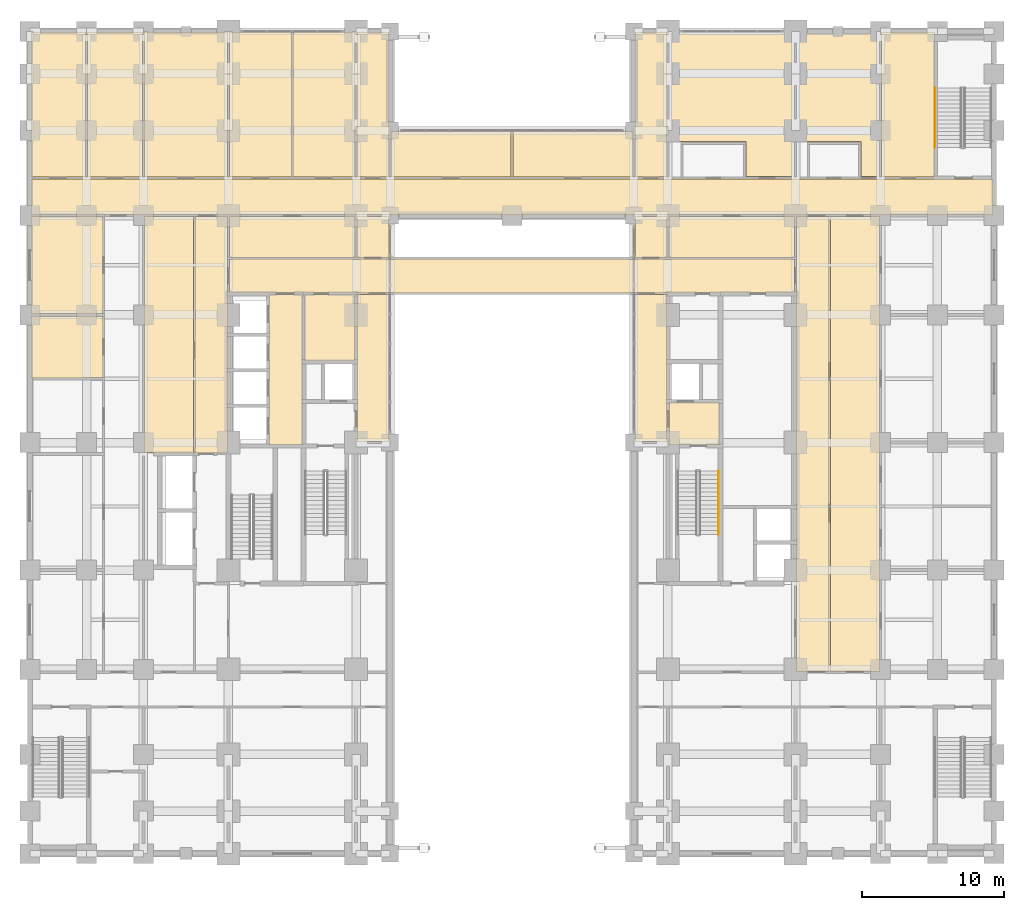
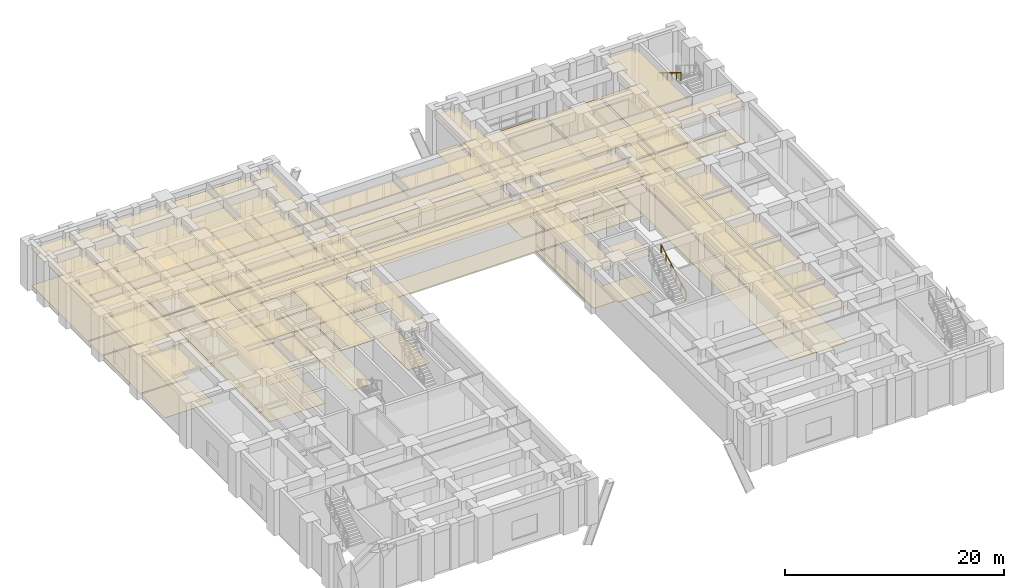
# One storey, part 21 of 23: 56 coverings, 2 railings.
"""IFC4 building model written with IfcOpenShell, lengths in metres."""

from ifc_helpers import new_model, si_unit, direction, frame, origin, origin_2d, place, context, subcontext, project, spatial, polyline, rectangle, outline, extrude, material, layer, layer_set, type_object, element, save


model = new_model("IFC4")

# Units and contexts
model_context = context("Model", 3, precision=1e-05, world=origin(), true_north=direction((0.0, 1.0)))
body_context = subcontext(model_context, "Body", "Model", "MODEL_VIEW")
ifc_project = project(units=[si_unit("LENGTHUNIT", "METRE"), si_unit("AREAUNIT", "SQUARE_METRE"), si_unit("VOLUMEUNIT", "CUBIC_METRE"), si_unit("PLANEANGLEUNIT", "RADIAN"), si_unit("MASSUNIT", "GRAM", prefix="KILO")], contexts=[model_context])

# Site, building, storey
site_placement = place(None, origin())
site = spatial("IfcSite", under=ifc_project, at=site_placement, CompositionType="ELEMENT")
building_placement = place(site_placement, origin())
building = spatial("IfcBuilding", under=site, at=building_placement, Name="Zulmaris Gate Convention Tower", CompositionType="ELEMENT")
storey_placement = place(building_placement, frame((0.0, 0.0, 10.8798828125)))
storey = spatial("IfcBuildingStorey", under=building, at=storey_placement, Name="L02", CompositionType="ELEMENT", Elevation=10.8798828125)

# Coverings
ifc_material_1 = material(Name="Mineral Fibre Acoustic Ceiling Tile")
ifc_layer_1 = layer(ifc_material_1, 0.02001953125, Name="Mineral Fibre Acoustic Ceiling Tile")
ifc_layer_set_1 = layer_set([ifc_layer_1], Name="Mineral Fibre Acoustic Ceiling Tile")
covering_type_1 = type_object("IfcCoveringType", Name="CLG-ACOUSTIC-600", PredefinedType="CEILING", material=ifc_layer_set_1)
covering_1_placement = place(storey_placement, frame((0.0, 0.0, 4.10009765625)))
element("IfcCovering", 1, at=covering_1_placement, inside=storey, type_object=covering_type_1, Name="CLG-L02-R08", PredefinedType="CEILING", context=body_context, shape_type="SweptSolid", body=[
    extrude(outline(polyline([(11.06005859375, -0.18994140625), (14.639892578125, -0.18994140625), (14.639892578125, 2.840087890625), (11.06005859375, 2.840087890625), (11.06005859375, -0.18994140625)])), origin(), (0.0, 0.0, 1.0), 0.02001953125),
])
covering_2_placement = place(storey_placement, frame((0.0, 0.0, 4.10009765625)))
element("IfcCovering", 2, at=covering_2_placement, inside=storey, type_object=covering_type_1, Name="CLG-L02-R11", PredefinedType="CEILING", context=body_context, shape_type="SweptSolid", body=[
    extrude(outline(polyline([(-14.639892578125, 5.760009765625), (-11.06005859375, 5.760009765625), (-11.06005859375, 10.43994140625), (-14.639892578125, 10.43994140625), (-14.639892578125, 5.760009765625)])), origin(), (0.0, 0.0, 1.0), 0.02001953125),
])
covering_3_placement = place(storey_placement, frame((0.0, 0.0, 4.810302734375)))
element("IfcCovering", 3, at=covering_3_placement, inside=storey, type_object=covering_type_1, Name="CLG-L02-R15", PredefinedType="CEILING", context=body_context, shape_type="SweptSolid", body=[
    extrude(outline(polyline([(-17.139892578125, -0.18994140625), (-14.760009765625, -0.18994140625), (-14.760009765625, 10.43994140625), (-17.139892578125, 10.43994140625), (-17.139892578125, -0.18994140625)])), origin(), (0.0, 0.0, 1.0), 0.02001953125),
])
covering_4_placement = place(storey_placement, frame((0.0, 0.0, 4.10009765625)))
element("IfcCovering", 4, at=covering_4_placement, inside=storey, type_object=covering_type_1, Name="CLG-L02-R31", PredefinedType="CEILING", context=body_context, shape_type="SweptSolid", body=[
    extrude(outline(polyline([(-10.93994140625, 0.06005859375), (-8.659912109375, 0.06005859375), (-8.659912109375, 10.43994140625), (-10.93994140625, 10.43994140625), (-10.93994140625, 0.06005859375)])), origin(), (0.0, 0.0, 1.0), 0.02001953125),
])
covering_5_placement = place(storey_placement, frame((0.0, 0.0, 4.10009765625)))
element("IfcCovering", 5, at=covering_5_placement, inside=storey, type_object=covering_type_1, Name="CLG-L02-R33", PredefinedType="CEILING", context=body_context, shape_type="SweptSolid", body=[
    extrude(outline(polyline([(8.659912109375, 0.06005859375), (10.93994140625, 0.06005859375), (10.93994140625, 10.43994140625), (8.659912109375, 10.43994140625), (8.659912109375, 0.06005859375)])), origin(), (0.0, 0.0, 1.0), 0.02001953125),
])
covering_6_placement = place(storey_placement, frame((0.0, 0.0, 4.10009765625)))
element("IfcCovering", 6, at=covering_6_placement, inside=storey, type_object=covering_type_1, Name="CLG-L02-R35", PredefinedType="CEILING", context=body_context, shape_type="SweptSolid", body=[
    extrude(outline(polyline([(-10.93994140625, 13.06005859375), (-8.659912109375, 13.06005859375), (-8.659912109375, 15.93994140625), (-10.93994140625, 15.93994140625), (-10.93994140625, 13.06005859375)])), origin(), (0.0, 0.0, 1.0), 0.02001953125),
])
covering_7_placement = place(storey_placement, frame((0.0, 0.0, 4.10009765625)))
element("IfcCovering", 7, at=covering_7_placement, inside=storey, type_object=covering_type_1, Name="CLG-L02-R36", PredefinedType="CEILING", context=body_context, shape_type="SweptSolid", body=[
    extrude(outline(polyline([(8.659912109375, 13.06005859375), (10.93994140625, 13.06005859375), (10.93994140625, 15.93994140625), (8.659912109375, 15.93994140625), (8.659912109375, 13.06005859375)])), origin(), (0.0, 0.0, 1.0), 0.02001953125),
])
covering_8_placement = place(storey_placement, frame((0.0, 0.0, 4.10009765625)))
element("IfcCovering", 8, at=covering_8_placement, inside=storey, type_object=covering_type_1, Name="CLG-L02-R37", PredefinedType="CEILING", context=body_context, shape_type="SweptSolid", body=[
    extrude(outline(polyline([(-19.93994140625, 13.06005859375), (-11.06005859375, 13.06005859375), (-11.06005859375, 15.93994140625), (-19.93994140625, 15.93994140625), (-19.93994140625, 13.06005859375)])), origin(), (0.0, 0.0, 1.0), 0.02001953125),
])
covering_9_placement = place(storey_placement, frame((0.0, 0.0, 4.10009765625)))
element("IfcCovering", 9, at=covering_9_placement, inside=storey, type_object=covering_type_1, Name="CLG-L02-R38", PredefinedType="CEILING", context=body_context, shape_type="SweptSolid", body=[
    extrude(outline(polyline([(11.06005859375, 13.06005859375), (19.93994140625, 13.06005859375), (19.93994140625, 15.93994140625), (11.06005859375, 15.93994140625), (11.06005859375, 13.06005859375)])), origin(), (0.0, 0.0, 1.0), 0.02001953125),
])
covering_10_placement = place(storey_placement, frame((0.0, 0.0, 4.10009765625)))
element("IfcCovering", 10, at=covering_10_placement, inside=storey, type_object=covering_type_1, Name="CLG-L02-R39", PredefinedType="CEILING", context=body_context, shape_type="SweptSolid", body=[
    extrude(outline(polyline([(-33.93994140625, 16.06005859375), (33.93994140625, 16.06005859375), (33.93994140625, 18.590087890625), (-33.93994140625, 18.590087890625), (-33.93994140625, 16.06005859375)])), origin(), (0.0, 0.0, 1.0), 0.02001953125),
])
covering_11_placement = place(storey_placement, frame((0.0, 0.0, 4.10009765625)))
element("IfcCovering", 11, at=covering_11_placement, inside=storey, type_object=covering_type_1, Name="CLG-L02-R40", PredefinedType="CEILING", context=body_context, shape_type="SweptSolid", body=[
    extrude(outline(polyline([(-19.93994140625, 10.56005859375), (19.93994140625, 10.56005859375), (19.93994140625, 12.93994140625), (-19.93994140625, 12.93994140625), (-19.93994140625, 10.56005859375)])), origin(), (0.0, 0.0, 1.0), 0.02001953125),
])
covering_12_placement = place(storey_placement, frame((0.0, 0.0, 4.10009765625)))
element("IfcCovering", 12, at=covering_12_placement, inside=storey, type_object=covering_type_1, Name="CLG-L02-R41", PredefinedType="CEILING", context=body_context, shape_type="SweptSolid", body=[
    extrude(outline(polyline([(-22.340087890625, -0.739990234375), (-20.06005859375, -0.739990234375), (-20.06005859375, 15.93994140625), (-22.340087890625, 15.93994140625), (-22.340087890625, -0.739990234375)])), origin(), (0.0, 0.0, 1.0), 0.02001953125),
])
covering_13_placement = place(storey_placement, frame((0.0, 0.0, 4.10009765625)))
element("IfcCovering", 13, at=covering_13_placement, inside=storey, type_object=covering_type_1, Name="CLG-L02-R42", PredefinedType="CEILING", context=body_context, shape_type="SweptSolid", body=[
    extrude(outline(polyline([(-25.93994140625, -0.739990234375), (-22.4599609375, -0.739990234375), (-22.4599609375, 15.93994140625), (-25.93994140625, 15.93994140625), (-25.93994140625, -0.739990234375)])), origin(), (0.0, 0.0, 1.0), 0.02001953125),
])
covering_14_placement = place(storey_placement, frame((0.0, 0.0, 4.10009765625)))
element("IfcCovering", 14, at=covering_14_placement, inside=storey, type_object=covering_type_1, Name="CLG-L02-R45", PredefinedType="CEILING", context=body_context, shape_type="SweptSolid", body=[
    extrude(outline(polyline([(20.06005859375, -16.139892578125), (22.340087890625, -16.139892578125), (22.340087890625, 15.93994140625), (20.06005859375, 15.93994140625), (20.06005859375, -16.139892578125)])), origin(), (0.0, 0.0, 1.0), 0.02001953125),
])
covering_15_placement = place(storey_placement, frame((0.0, 0.0, 4.10009765625)))
element("IfcCovering", 15, at=covering_15_placement, inside=storey, type_object=covering_type_1, Name="CLG-L02-R50", PredefinedType="CEILING", context=body_context, shape_type="SweptSolid", body=[
    extrude(outline(polyline([(-33.93994140625, 18.7099609375), (-30.06005859375, 18.7099609375), (-30.06005859375, 28.93994140625), (-33.93994140625, 28.93994140625), (-33.93994140625, 18.7099609375)])), origin(), (0.0, 0.0, 1.0), 0.02001953125),
])
covering_16_placement = place(storey_placement, frame((0.0, 0.0, 4.10009765625)))
element("IfcCovering", 16, at=covering_16_placement, inside=storey, type_object=covering_type_1, Name="CLG-L02-R51", PredefinedType="CEILING", context=body_context, shape_type="SweptSolid", body=[
    extrude(outline(polyline([(-29.93994140625, 18.7099609375), (-26.06005859375, 18.7099609375), (-26.06005859375, 28.93994140625), (-29.93994140625, 28.93994140625), (-29.93994140625, 18.7099609375)])), origin(), (0.0, 0.0, 1.0), 0.02001953125),
])
covering_17_placement = place(storey_placement, frame((0.0, 0.0, 4.10009765625)))
element("IfcCovering", 17, at=covering_17_placement, inside=storey, type_object=covering_type_1, Name="CLG-L02-R52", PredefinedType="CEILING", context=body_context, shape_type="SweptSolid", body=[
    extrude(outline(polyline([(-25.93994140625, 18.7099609375), (-20.06005859375, 18.7099609375), (-20.06005859375, 28.93994140625), (-25.93994140625, 28.93994140625), (-25.93994140625, 18.7099609375)])), origin(), (0.0, 0.0, 1.0), 0.02001953125),
])
covering_18_placement = place(storey_placement, frame((0.0, 0.0, 4.10009765625)))
element("IfcCovering", 18, at=covering_18_placement, inside=storey, type_object=covering_type_1, Name="CLG-L02-R53", PredefinedType="CEILING", context=body_context, shape_type="SweptSolid", body=[
    extrude(outline(polyline([(-19.93994140625, 18.7099609375), (-15.56005859375, 18.7099609375), (-15.56005859375, 28.93994140625), (-19.93994140625, 28.93994140625), (-19.93994140625, 18.7099609375)])), origin(), (0.0, 0.0, 1.0), 0.02001953125),
])
covering_19_placement = place(storey_placement, frame((0.0, 0.0, 4.10009765625)))
element("IfcCovering", 19, at=covering_19_placement, inside=storey, type_object=covering_type_1, Name="CLG-L02-R54", PredefinedType="CEILING", context=body_context, shape_type="SweptSolid", body=[
    extrude(outline(polyline([(-15.43994140625, 18.7099609375), (-11.06005859375, 18.7099609375), (-11.06005859375, 28.93994140625), (-15.43994140625, 28.93994140625), (-15.43994140625, 18.7099609375)])), origin(), (0.0, 0.0, 1.0), 0.02001953125),
])
covering_20_placement = place(storey_placement, frame((0.0, 0.0, 4.10009765625)))
element("IfcCovering", 20, at=covering_20_placement, inside=storey, type_object=covering_type_1, Name="CLG-L02-R55", PredefinedType="CEILING", context=body_context, shape_type="SweptSolid", body=[
    extrude(outline(polyline([(-10.93994140625, 18.7099609375), (-8.659912109375, 18.7099609375), (-8.659912109375, 28.93994140625), (-10.93994140625, 28.93994140625), (-10.93994140625, 18.7099609375)])), origin(), (0.0, 0.0, 1.0), 0.02001953125),
])
covering_21_placement = place(storey_placement, frame((0.0, 0.0, 4.10009765625)))
element("IfcCovering", 21, at=covering_21_placement, inside=storey, type_object=covering_type_1, Name="CLG-L02-R56", PredefinedType="CEILING", context=body_context, shape_type="SweptSolid", body=[
    extrude(outline(polyline([(-8.5400390625, 18.7099609375), (-0.06005859375, 18.7099609375), (-0.06005859375, 21.93994140625), (-8.5400390625, 21.93994140625), (-8.5400390625, 18.7099609375)])), origin(), (0.0, 0.0, 1.0), 0.02001953125),
])
covering_22_placement = place(storey_placement, frame((0.0, 0.0, 4.10009765625)))
element("IfcCovering", 22, at=covering_22_placement, inside=storey, type_object=covering_type_1, Name="CLG-L02-R57", PredefinedType="CEILING", context=body_context, shape_type="SweptSolid", body=[
    extrude(outline(polyline([(0.06005859375, 18.7099609375), (8.5400390625, 18.7099609375), (8.5400390625, 21.93994140625), (0.06005859375, 21.93994140625), (0.06005859375, 18.7099609375)])), origin(), (0.0, 0.0, 1.0), 0.02001953125),
])
covering_23_placement = place(storey_placement, frame((0.0, 0.0, 4.10009765625)))
element("IfcCovering", 23, at=covering_23_placement, inside=storey, type_object=covering_type_1, Name="CLG-L02-R58", PredefinedType="CEILING", context=body_context, shape_type="SweptSolid", body=[
    extrude(outline(polyline([(8.659912109375, 18.7099609375), (10.93994140625, 18.7099609375), (10.93994140625, 28.93994140625), (8.659912109375, 28.93994140625), (8.659912109375, 18.7099609375)])), origin(), (0.0, 0.0, 1.0), 0.02001953125),
])
covering_24_placement = place(storey_placement, frame((0.0, 0.0, 4.10009765625)))
element("IfcCovering", 24, at=covering_24_placement, inside=storey, type_object=covering_type_1, Name="CLG-L02-R59", PredefinedType="CEILING", context=body_context, shape_type="SweptSolid", body=[
    extrude(outline(polyline([(26.06005859375, 18.7099609375), (29.7900390625, 18.7099609375), (29.7900390625, 28.93994140625), (26.06005859375, 28.93994140625), (26.06005859375, 18.7099609375)])), origin(), (0.0, 0.0, 1.0), 0.02001953125),
])
covering_25_placement = place(storey_placement, frame((0.0, 0.0, 4.10009765625)))
element("IfcCovering", 25, at=covering_25_placement, inside=storey, type_object=covering_type_1, Name="CLG-L02-R68", PredefinedType="CEILING", context=body_context, shape_type="SweptSolid", body=[
    extrude(outline(polyline([(-33.93994140625, 4.56005859375), (-28.860107421875, 4.56005859375), (-28.860107421875, 8.93994140625), (-33.93994140625, 8.93994140625), (-33.93994140625, 4.56005859375)])), origin(), (0.0, 0.0, 1.0), 0.02001953125),
])
covering_26_placement = place(storey_placement, frame((0.0, 0.0, 4.10009765625)))
element("IfcCovering", 26, at=covering_26_placement, inside=storey, type_object=covering_type_1, Name="CLG-L02-R69", PredefinedType="CEILING", context=body_context, shape_type="SweptSolid", body=[
    extrude(outline(polyline([(-33.93994140625, 9.06005859375), (-28.860107421875, 9.06005859375), (-28.860107421875, 15.93994140625), (-33.93994140625, 15.93994140625), (-33.93994140625, 9.06005859375)])), origin(), (0.0, 0.0, 1.0), 0.02001953125),
])
covering_27_placement = place(storey_placement, frame((0.0, 0.0, 4.10009765625)))
element("IfcCovering", 27, at=covering_27_placement, inside=storey, type_object=covering_type_1, Name="CLG-L02-R70", PredefinedType="CEILING", context=body_context, shape_type="SweptSolid", body=[
    extrude(outline(polyline([(22.4599609375, -16.139892578125), (25.93994140625, -16.139892578125), (25.93994140625, 15.93994140625), (22.4599609375, 15.93994140625), (22.4599609375, -16.139892578125)])), origin(), (0.0, 0.0, 1.0), 0.02001953125),
])
ifc_material_2 = material(Name="Woven Acoustic Wool Carpet Tile")
ifc_layer_2 = layer(ifc_material_2, 0.02001953125, Name="Woven Acoustic Wool Carpet Tile")
ifc_layer_set_2 = layer_set([ifc_layer_2], Name="Woven Acoustic Wool Carpet Tile")
covering_type_2 = type_object("IfcCoveringType", Name="FLR-CARPET-12", PredefinedType="FLOORING", material=ifc_layer_set_2)
covering_28_placement = place(storey_placement, origin())
element("IfcCovering", 28, at=covering_28_placement, inside=storey, type_object=covering_type_2, Name="FLR-L02-R08", PredefinedType="FLOORING", context=body_context, shape_type="SweptSolid", body=[
    extrude(outline(polyline([(11.06005859375, -0.18994140625), (14.639892578125, -0.18994140625), (14.639892578125, 2.840087890625), (11.06005859375, 2.840087890625), (11.06005859375, -0.18994140625)])), origin(), (0.0, 0.0, 1.0), 0.02001953125),
])
covering_29_placement = place(storey_placement, origin())
element("IfcCovering", 29, at=covering_29_placement, inside=storey, type_object=covering_type_2, Name="FLR-L02-R11", PredefinedType="FLOORING", context=body_context, shape_type="SweptSolid", body=[
    extrude(outline(polyline([(-14.639892578125, 5.760009765625), (-11.06005859375, 5.760009765625), (-11.06005859375, 10.43994140625), (-14.639892578125, 10.43994140625), (-14.639892578125, 5.760009765625)])), origin(), (0.0, 0.0, 1.0), 0.02001953125),
])
covering_30_placement = place(storey_placement, origin())
element("IfcCovering", 30, at=covering_30_placement, inside=storey, type_object=covering_type_2, Name="FLR-L02-R15", PredefinedType="FLOORING", context=body_context, shape_type="SweptSolid", body=[
    extrude(outline(polyline([(-17.139892578125, -0.18994140625), (-14.760009765625, -0.18994140625), (-14.760009765625, 10.43994140625), (-17.139892578125, 10.43994140625), (-17.139892578125, -0.18994140625)])), origin(), (0.0, 0.0, 1.0), 0.02001953125),
])
covering_31_placement = place(storey_placement, origin())
element("IfcCovering", 31, at=covering_31_placement, inside=storey, type_object=covering_type_2, Name="FLR-L02-R31", PredefinedType="FLOORING", context=body_context, shape_type="SweptSolid", body=[
    extrude(outline(polyline([(-10.93994140625, 0.06005859375), (-8.659912109375, 0.06005859375), (-8.659912109375, 10.43994140625), (-10.93994140625, 10.43994140625), (-10.93994140625, 0.06005859375)])), origin(), (0.0, 0.0, 1.0), 0.02001953125),
])
covering_32_placement = place(storey_placement, origin())
element("IfcCovering", 32, at=covering_32_placement, inside=storey, type_object=covering_type_2, Name="FLR-L02-R33", PredefinedType="FLOORING", context=body_context, shape_type="SweptSolid", body=[
    extrude(outline(polyline([(8.659912109375, 0.06005859375), (10.93994140625, 0.06005859375), (10.93994140625, 10.43994140625), (8.659912109375, 10.43994140625), (8.659912109375, 0.06005859375)])), origin(), (0.0, 0.0, 1.0), 0.02001953125),
])
covering_33_placement = place(storey_placement, origin())
element("IfcCovering", 33, at=covering_33_placement, inside=storey, type_object=covering_type_2, Name="FLR-L02-R35", PredefinedType="FLOORING", context=body_context, shape_type="SweptSolid", body=[
    extrude(outline(polyline([(-10.93994140625, 13.06005859375), (-8.659912109375, 13.06005859375), (-8.659912109375, 15.93994140625), (-10.93994140625, 15.93994140625), (-10.93994140625, 13.06005859375)])), origin(), (0.0, 0.0, 1.0), 0.02001953125),
])
covering_34_placement = place(storey_placement, origin())
element("IfcCovering", 34, at=covering_34_placement, inside=storey, type_object=covering_type_2, Name="FLR-L02-R36", PredefinedType="FLOORING", context=body_context, shape_type="SweptSolid", body=[
    extrude(outline(polyline([(8.659912109375, 13.06005859375), (10.93994140625, 13.06005859375), (10.93994140625, 15.93994140625), (8.659912109375, 15.93994140625), (8.659912109375, 13.06005859375)])), origin(), (0.0, 0.0, 1.0), 0.02001953125),
])
covering_35_placement = place(storey_placement, origin())
element("IfcCovering", 35, at=covering_35_placement, inside=storey, type_object=covering_type_2, Name="FLR-L02-R39", PredefinedType="FLOORING", context=body_context, shape_type="SweptSolid", body=[
    extrude(outline(polyline([(-33.93994140625, 16.06005859375), (33.93994140625, 16.06005859375), (33.93994140625, 18.590087890625), (-33.93994140625, 18.590087890625), (-33.93994140625, 16.06005859375)])), origin(), (0.0, 0.0, 1.0), 0.02001953125),
])
covering_36_placement = place(storey_placement, origin())
element("IfcCovering", 36, at=covering_36_placement, inside=storey, type_object=covering_type_2, Name="FLR-L02-R40", PredefinedType="FLOORING", context=body_context, shape_type="SweptSolid", body=[
    extrude(outline(polyline([(-19.93994140625, 10.56005859375), (19.93994140625, 10.56005859375), (19.93994140625, 12.93994140625), (-19.93994140625, 12.93994140625), (-19.93994140625, 10.56005859375)])), origin(), (0.0, 0.0, 1.0), 0.02001953125),
])
covering_37_placement = place(storey_placement, origin())
element("IfcCovering", 37, at=covering_37_placement, inside=storey, type_object=covering_type_2, Name="FLR-L02-R41", PredefinedType="FLOORING", context=body_context, shape_type="SweptSolid", body=[
    extrude(outline(polyline([(-22.340087890625, -0.739990234375), (-20.06005859375, -0.739990234375), (-20.06005859375, 15.93994140625), (-22.340087890625, 15.93994140625), (-22.340087890625, -0.739990234375)])), origin(), (0.0, 0.0, 1.0), 0.02001953125),
])
covering_38_placement = place(storey_placement, origin())
element("IfcCovering", 38, at=covering_38_placement, inside=storey, type_object=covering_type_2, Name="FLR-L02-R45", PredefinedType="FLOORING", context=body_context, shape_type="SweptSolid", body=[
    extrude(outline(polyline([(20.06005859375, -16.139892578125), (22.340087890625, -16.139892578125), (22.340087890625, 15.93994140625), (20.06005859375, 15.93994140625), (20.06005859375, -16.139892578125)])), origin(), (0.0, 0.0, 1.0), 0.02001953125),
])
covering_39_placement = place(storey_placement, origin())
element("IfcCovering", 39, at=covering_39_placement, inside=storey, type_object=covering_type_2, Name="FLR-L02-R52", PredefinedType="FLOORING", context=body_context, shape_type="SweptSolid", body=[
    extrude(outline(polyline([(-25.93994140625, 18.7099609375), (-20.06005859375, 18.7099609375), (-20.06005859375, 28.93994140625), (-25.93994140625, 28.93994140625), (-25.93994140625, 18.7099609375)])), origin(), (0.0, 0.0, 1.0), 0.02001953125),
])
covering_40_placement = place(storey_placement, origin())
element("IfcCovering", 40, at=covering_40_placement, inside=storey, type_object=covering_type_2, Name="FLR-L02-R55", PredefinedType="FLOORING", context=body_context, shape_type="SweptSolid", body=[
    extrude(outline(polyline([(-10.93994140625, 18.7099609375), (-8.659912109375, 18.7099609375), (-8.659912109375, 28.93994140625), (-10.93994140625, 28.93994140625), (-10.93994140625, 18.7099609375)])), origin(), (0.0, 0.0, 1.0), 0.02001953125),
])
covering_41_placement = place(storey_placement, origin())
element("IfcCovering", 41, at=covering_41_placement, inside=storey, type_object=covering_type_2, Name="FLR-L02-R58", PredefinedType="FLOORING", context=body_context, shape_type="SweptSolid", body=[
    extrude(outline(polyline([(8.659912109375, 18.7099609375), (10.93994140625, 18.7099609375), (10.93994140625, 28.93994140625), (8.659912109375, 28.93994140625), (8.659912109375, 18.7099609375)])), origin(), (0.0, 0.0, 1.0), 0.02001953125),
])
covering_42_placement = place(storey_placement, origin())
element("IfcCovering", 42, at=covering_42_placement, inside=storey, type_object=covering_type_2, Name="FLR-L02-R59", PredefinedType="FLOORING", context=body_context, shape_type="SweptSolid", body=[
    extrude(outline(polyline([(26.06005859375, 18.7099609375), (29.7900390625, 18.7099609375), (29.7900390625, 28.93994140625), (26.06005859375, 28.93994140625), (26.06005859375, 18.7099609375)])), origin(), (0.0, 0.0, 1.0), 0.02001953125),
])
covering_43_placement = place(storey_placement, origin())
element("IfcCovering", 43, at=covering_43_placement, inside=storey, type_object=covering_type_2, Name="FLR-L02-R63", PredefinedType="FLOORING", context=body_context, shape_type="SweptSolid", body=[
    extrude(outline(polyline([(24.6201171875, 18.77001953125), (25.85009765625, 18.77001953125), (25.85009765625, 28.800048828125), (20.14990234375, 28.800048828125), (20.14990234375, 21.219970703125), (24.6201171875, 21.219970703125), (24.6201171875, 18.77001953125)])), origin(), (0.0, 0.0, 1.0), 0.02001953125),
])
covering_44_placement = place(storey_placement, origin())
element("IfcCovering", 44, at=covering_44_placement, inside=storey, type_object=covering_type_2, Name="FLR-L02-R70", PredefinedType="FLOORING", context=body_context, shape_type="SweptSolid", body=[
    extrude(outline(polyline([(22.4599609375, -16.139892578125), (25.93994140625, -16.139892578125), (25.93994140625, 15.93994140625), (22.4599609375, 15.93994140625), (22.4599609375, -16.139892578125)])), origin(), (0.0, 0.0, 1.0), 0.02001953125),
])
ifc_material_3 = material(Name="Polished Granite Terrazzo Tile", Category="masonry")
ifc_layer_3 = layer(ifc_material_3, 0.02001953125, Name="Polished Granite Terrazzo Tile")
ifc_layer_set_3 = layer_set([ifc_layer_3], Name="Polished Granite Terrazzo Tile")
covering_type_3 = type_object("IfcCoveringType", Name="FLR-TERRAZZO-30", PredefinedType="FLOORING", material=ifc_layer_set_3)
covering_45_placement = place(storey_placement, origin())
element("IfcCovering", 45, at=covering_45_placement, inside=storey, type_object=covering_type_3, Name="FLR-L02-R56", PredefinedType="FLOORING", context=body_context, shape_type="SweptSolid", body=[
    extrude(outline(polyline([(-8.5400390625, 18.7099609375), (-0.06005859375, 18.7099609375), (-0.06005859375, 21.93994140625), (-8.5400390625, 21.93994140625), (-8.5400390625, 18.7099609375)])), origin(), (0.0, 0.0, 1.0), 0.02001953125),
])
covering_46_placement = place(storey_placement, origin())
element("IfcCovering", 46, at=covering_46_placement, inside=storey, type_object=covering_type_3, Name="FLR-L02-R57", PredefinedType="FLOORING", context=body_context, shape_type="SweptSolid", body=[
    extrude(outline(polyline([(0.06005859375, 18.7099609375), (8.5400390625, 18.7099609375), (8.5400390625, 21.93994140625), (0.06005859375, 21.93994140625), (0.06005859375, 18.7099609375)])), origin(), (0.0, 0.0, 1.0), 0.02001953125),
])
ifc_material_4 = material(Name="Engineered Teak Parquet Flooring")
ifc_layer_4 = layer(ifc_material_4, 0.02001953125, Name="Engineered Teak Parquet Flooring")
ifc_layer_set_4 = layer_set([ifc_layer_4], Name="Engineered Teak Parquet Flooring")
covering_type_4 = type_object("IfcCoveringType", Name="FLR-TIMBER-18", PredefinedType="FLOORING", material=ifc_layer_set_4)
covering_47_placement = place(storey_placement, origin())
element("IfcCovering", 47, at=covering_47_placement, inside=storey, type_object=covering_type_4, Name="FLR-L02-R37", PredefinedType="FLOORING", context=body_context, shape_type="SweptSolid", body=[
    extrude(outline(polyline([(-19.93994140625, 13.06005859375), (-11.06005859375, 13.06005859375), (-11.06005859375, 15.93994140625), (-19.93994140625, 15.93994140625), (-19.93994140625, 13.06005859375)])), origin(), (0.0, 0.0, 1.0), 0.02001953125),
])
covering_48_placement = place(storey_placement, origin())
element("IfcCovering", 48, at=covering_48_placement, inside=storey, type_object=covering_type_4, Name="FLR-L02-R38", PredefinedType="FLOORING", context=body_context, shape_type="SweptSolid", body=[
    extrude(outline(polyline([(11.06005859375, 13.06005859375), (19.93994140625, 13.06005859375), (19.93994140625, 15.93994140625), (11.06005859375, 15.93994140625), (11.06005859375, 13.06005859375)])), origin(), (0.0, 0.0, 1.0), 0.02001953125),
])
covering_49_placement = place(storey_placement, origin())
element("IfcCovering", 49, at=covering_49_placement, inside=storey, type_object=covering_type_4, Name="FLR-L02-R42", PredefinedType="FLOORING", context=body_context, shape_type="SweptSolid", body=[
    extrude(outline(polyline([(-25.93994140625, -0.739990234375), (-22.4599609375, -0.739990234375), (-22.4599609375, 15.93994140625), (-25.93994140625, 15.93994140625), (-25.93994140625, -0.739990234375)])), origin(), (0.0, 0.0, 1.0), 0.02001953125),
])
covering_50_placement = place(storey_placement, origin())
element("IfcCovering", 50, at=covering_50_placement, inside=storey, type_object=covering_type_4, Name="FLR-L02-R50", PredefinedType="FLOORING", context=body_context, shape_type="SweptSolid", body=[
    extrude(outline(polyline([(-33.93994140625, 18.7099609375), (-30.06005859375, 18.7099609375), (-30.06005859375, 28.93994140625), (-33.93994140625, 28.93994140625), (-33.93994140625, 18.7099609375)])), origin(), (0.0, 0.0, 1.0), 0.02001953125),
])
covering_51_placement = place(storey_placement, origin())
element("IfcCovering", 51, at=covering_51_placement, inside=storey, type_object=covering_type_4, Name="FLR-L02-R51", PredefinedType="FLOORING", context=body_context, shape_type="SweptSolid", body=[
    extrude(outline(polyline([(-29.93994140625, 18.7099609375), (-26.06005859375, 18.7099609375), (-26.06005859375, 28.93994140625), (-29.93994140625, 28.93994140625), (-29.93994140625, 18.7099609375)])), origin(), (0.0, 0.0, 1.0), 0.02001953125),
])
covering_52_placement = place(storey_placement, origin())
element("IfcCovering", 52, at=covering_52_placement, inside=storey, type_object=covering_type_4, Name="FLR-L02-R53", PredefinedType="FLOORING", context=body_context, shape_type="SweptSolid", body=[
    extrude(outline(polyline([(-19.93994140625, 18.7099609375), (-15.56005859375, 18.7099609375), (-15.56005859375, 28.93994140625), (-19.93994140625, 28.93994140625), (-19.93994140625, 18.7099609375)])), origin(), (0.0, 0.0, 1.0), 0.02001953125),
])
covering_53_placement = place(storey_placement, origin())
element("IfcCovering", 53, at=covering_53_placement, inside=storey, type_object=covering_type_4, Name="FLR-L02-R54", PredefinedType="FLOORING", context=body_context, shape_type="SweptSolid", body=[
    extrude(outline(polyline([(-15.43994140625, 18.7099609375), (-11.06005859375, 18.7099609375), (-11.06005859375, 28.93994140625), (-15.43994140625, 28.93994140625), (-15.43994140625, 18.7099609375)])), origin(), (0.0, 0.0, 1.0), 0.02001953125),
])
covering_54_placement = place(storey_placement, origin())
element("IfcCovering", 54, at=covering_54_placement, inside=storey, type_object=covering_type_4, Name="FLR-L02-R61", PredefinedType="FLOORING", context=body_context, shape_type="SweptSolid", body=[
    extrude(outline(polyline([(16.52001953125, 18.77001953125), (19.85009765625, 18.77001953125), (19.85009765625, 28.800048828125), (11.14990234375, 28.800048828125), (11.14990234375, 21.219970703125), (16.52001953125, 21.219970703125), (16.52001953125, 18.77001953125)])), origin(), (0.0, 0.0, 1.0), 0.02001953125),
])
covering_55_placement = place(storey_placement, origin())
element("IfcCovering", 55, at=covering_55_placement, inside=storey, type_object=covering_type_4, Name="FLR-L02-R68", PredefinedType="FLOORING", context=body_context, shape_type="SweptSolid", body=[
    extrude(outline(polyline([(-33.93994140625, 4.56005859375), (-28.860107421875, 4.56005859375), (-28.860107421875, 8.93994140625), (-33.93994140625, 8.93994140625), (-33.93994140625, 4.56005859375)])), origin(), (0.0, 0.0, 1.0), 0.02001953125),
])
covering_56_placement = place(storey_placement, origin())
element("IfcCovering", 56, at=covering_56_placement, inside=storey, type_object=covering_type_4, Name="FLR-L02-R69", PredefinedType="FLOORING", context=body_context, shape_type="SweptSolid", body=[
    extrude(outline(polyline([(-33.93994140625, 9.06005859375), (-28.860107421875, 9.06005859375), (-28.860107421875, 15.93994140625), (-33.93994140625, 15.93994140625), (-33.93994140625, 9.06005859375)])), origin(), (0.0, 0.0, 1.0), 0.02001953125),
])

# Railings
ifc_material_5 = material(Name="Brushed Stainless Steel", Category="steel")
railing_type = type_object("IfcRailingType", Name="RL-STH-900", PredefinedType="HANDRAIL", material=ifc_material_5)
railing_1_placement = place(storey_placement, frame((14.570068359375, -6.5, 2.89013671875)))
element("IfcRailing", 57, at=railing_1_placement, inside=storey, type_object=railing_type, Name="L02 ST-2 stair handrail 2", PredefinedType="HANDRAIL", context=body_context, shape_type="SweptSolid", body=[
    extrude(rectangle(XDim=0.048095703125, YDim=0.048095703125, at=origin_2d()), frame((0.0, 0.0, 0.8759765625), z_axis=(0.0, 0.870018136573, 0.493019717692), x_axis=(-1.0, 0.0, 0.0)), (0.0, 0.0, 1.0), 5.17236328125),
    extrude(rectangle(XDim=0.0419921875, YDim=0.0419921875, at=origin_2d()), origin(), (0.0, 0.0, 1.0), 0.851806640625),
    extrude(rectangle(XDim=0.0419921875, YDim=0.0419921875, at=origin_2d()), frame((0.0, 0.89990234375, 0.510009765625)), (0.0, 0.0, 1.0), 0.851806640625),
    extrude(rectangle(XDim=0.0419921875, YDim=0.0419921875, at=origin_2d()), frame((0.0, 1.800048828125, 1.02001953125)), (0.0, 0.0, 1.0), 0.851806640625),
    extrude(rectangle(XDim=0.0419921875, YDim=0.0419921875, at=origin_2d()), frame((0.0, 2.699951171875, 1.530029296875)), (0.0, 0.0, 1.0), 0.851806640625),
    extrude(rectangle(XDim=0.0419921875, YDim=0.0419921875, at=origin_2d()), frame((0.0, 3.60009765625, 2.0400390625)), (0.0, 0.0, 1.0), 0.851806640625),
    extrude(rectangle(XDim=0.0419921875, YDim=0.0419921875, at=origin_2d()), frame((0.0, 4.5, 2.550048828125)), (0.0, 0.0, 1.0), 0.851806640625),
])
railing_2_placement = place(storey_placement, frame((29.830078125, 25.0, 2.89013671875)))
element("IfcRailing", 58, at=railing_2_placement, inside=storey, type_object=railing_type, Name="L02 ST-5 stair handrail 2", PredefinedType="HANDRAIL", context=body_context, shape_type="SweptSolid", body=[
    extrude(rectangle(XDim=0.048095703125, YDim=0.048095703125, at=origin_2d()), frame((0.0, 0.0, 0.8759765625), z_axis=(0.0, -0.854780430106, 0.518989803665), x_axis=(1.0, 0.0, 0.0)), (0.0, 0.0, 1.0), 4.91357421875),
    extrude(rectangle(XDim=0.0419921875, YDim=0.0419921875, at=origin_2d()), origin(), (0.0, 0.0, 1.0), 0.851806640625),
    extrude(rectangle(XDim=0.0419921875, YDim=0.0419921875, at=origin_2d()), frame((0.0, -0.840087890625, 0.510009765625)), (0.0, 0.0, 1.0), 0.851806640625),
    extrude(rectangle(XDim=0.0419921875, YDim=0.0419921875, at=origin_2d()), frame((0.0, -1.679931640625, 1.02001953125)), (0.0, 0.0, 1.0), 0.851806640625),
    extrude(rectangle(XDim=0.0419921875, YDim=0.0419921875, at=origin_2d()), frame((0.0, -2.52001953125, 1.530029296875)), (0.0, 0.0, 1.0), 0.851806640625),
    extrude(rectangle(XDim=0.0419921875, YDim=0.0419921875, at=origin_2d()), frame((0.0, -3.35986328125, 2.0400390625)), (0.0, 0.0, 1.0), 0.851806640625),
    extrude(rectangle(XDim=0.0419921875, YDim=0.0419921875, at=origin_2d()), frame((0.0, -4.199951171875, 2.550048828125)), (0.0, 0.0, 1.0), 0.851806640625),
])

save(model, "model.ifc")
